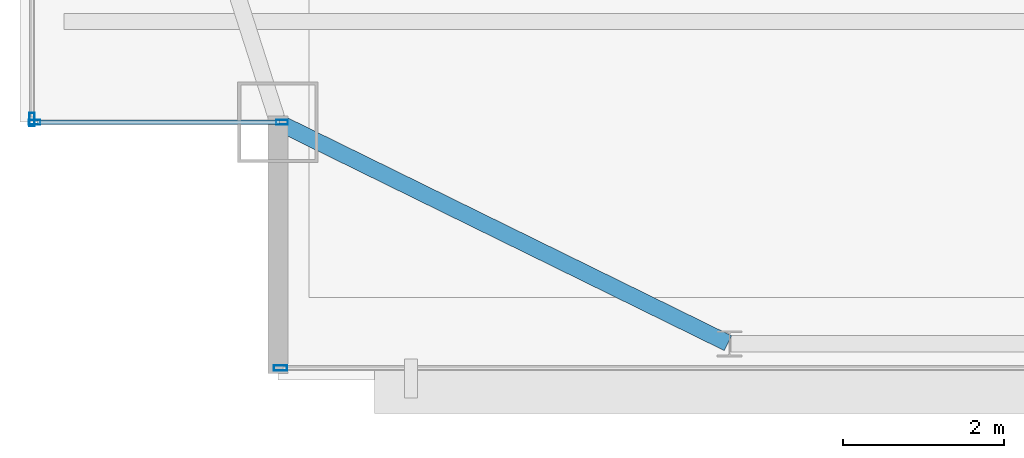
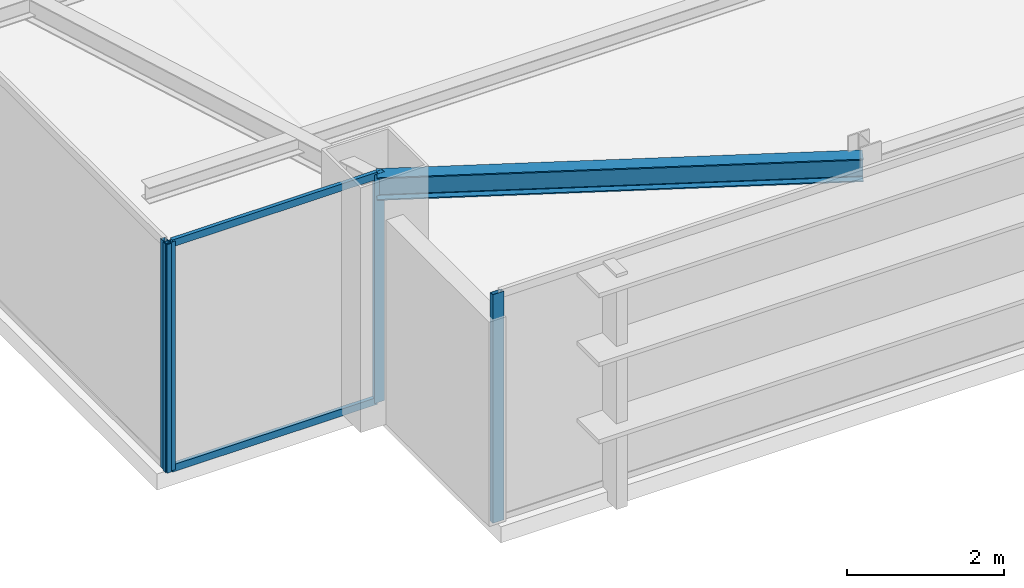
# One storey, part 4 of 24: 6 members, 1 beam, 3 elements without a shape of their own.
"""IFC4 building model written with IfcOpenShell, lengths in metres."""

from ifc_helpers import new_model, si_unit, direction, frame, origin, origin_2d, place, context, subcontext, project, spatial, hollow_rectangle, i_section, extrude, source, transform, mapped, material, layer, layer_set, material_profile, profile_set, type_object, type_shapes, element, aggregate, save


model = new_model("IFC4")

# Units and contexts
model_context = context("Model", 3, precision=1e-05, world=origin(), true_north=direction((0.0, 1.0)))
body_context = subcontext(model_context, "Body", "Model", "MODEL_VIEW")
ifc_project = project(units=[si_unit("LENGTHUNIT", "METRE"), si_unit("AREAUNIT", "SQUARE_METRE"), si_unit("VOLUMEUNIT", "CUBIC_METRE"), si_unit("PLANEANGLEUNIT", "RADIAN"), si_unit("MASSUNIT", "GRAM", prefix="KILO")], contexts=[model_context])

# Site, building, storey
site_placement = place(None, origin())
site = spatial("IfcSite", under=ifc_project, at=site_placement, CompositionType="ELEMENT")
building_placement = place(site_placement, origin())
building = spatial("IfcBuilding", under=site, at=building_placement, Name="Varnel Quay Broadcast Tower", CompositionType="ELEMENT")
storey_placement = place(building_placement, frame((0.0, 0.0, 269.800048828125)))
storey = spatial("IfcBuildingStorey", under=building, at=storey_placement, Name="L67", CompositionType="ELEMENT", Elevation=269.800048828125)

# Beam
ifc_material_1 = material(Name="Structural Steel CSA G40.21 350W", Category="steel")
ifc_material_profile_1 = material_profile(ifc_material_1, i_section(OverallWidth=0.205078125, OverallDepth=0.35400390625, WebThickness=0.009521484375, FlangeThickness=0.016845703125, FilletRadius=0.012939453125, at=origin_2d()), Name="W360X79")
ifc_profile_set_1 = profile_set([ifc_material_profile_1], Name="Structural Steel CSA G40.21 350W")
beam_type = type_object("IfcBeamType", Name="Beam_W360X79", PredefinedType="SPANDREL", material=ifc_profile_set_1)
shared_shape_1 = source(origin(), body_context, "Body", "SweptSolid", [
    extrude(i_section(OverallWidth=0.205078125, OverallDepth=0.35400390625, WebThickness=0.009521484375, FlangeThickness=0.016845703125, FilletRadius=0.012939453125, at=origin_2d()), origin(), (0.0, 0.0, 1.0), 6.19873046875),
])
type_shapes(beam_type, [shared_shape_1])
beam_placement = place(storey_placement, frame((15.218017578125, 16.39111328125, 3.373046875), z_axis=(0.897602447358, -0.440805905697, 0.0), x_axis=(0.440805905697, 0.897602447358, 0.0)))
element("IfcBeam", 1, at=beam_placement, inside=storey, type_object=beam_type, Name="L67 South Spandrel MC-SW-TC-S1", PredefinedType="SPANDREL", context=body_context, shape_type="MappedRepresentation", body=[
    mapped(shared_shape_1, transform((0.0, 0.0, 0.0), x_axis=(1.0, 0.0, 0.0), y_axis=(0.0, 1.0, 0.0), z_axis=(0.0, 0.0, 1.0), scale=1.0)),
])

# Curtain wall, members
ifc_material_2 = material(Name="Anodised Bronze Aluminium 6063-T6", Category="aluminium")
ifc_layer_1 = layer(ifc_material_2, 0.18994140625, Name="Anodised Bronze Aluminium 6063-T6")
ifc_layer_set_1 = layer_set([ifc_layer_1], Name="Anodised Bronze Aluminium 6063-T6")
curtain_wall_type_1 = type_object("IfcCurtainWallType", Name="CW_NotchCorner", PredefinedType="NOTDEFINED", material=ifc_layer_set_1)
curtain_wall_1_placement = place(storey_placement, origin())
curtain_wall_1 = element("IfcCurtainWall", 2, at=curtain_wall_1_placement, inside=storey, type_object=curtain_wall_type_1, Name="L67 SW Notch Curtain Wall", PredefinedType="NOTDEFINED")
ifc_material_profile_2 = material_profile(ifc_material_2, hollow_rectangle(XDim=0.06005859375, YDim=0.14501953125, WallThickness=0.00341796875, at=origin_2d()), Name="ALU60X145X3.5")
ifc_profile_set_2 = profile_set([ifc_material_profile_2], Name="Anodised Bronze Aluminium 6063-T6")
member_type_1 = type_object("IfcMemberType", Name="Mull_CWS-04", PredefinedType="MULLION", material=ifc_profile_set_2)
shared_shape_2 = source(origin(), body_context, "Body", "SweptSolid", [
    extrude(hollow_rectangle(XDim=0.06005859375, YDim=0.14501953125, WallThickness=0.00341796875, at=origin_2d()), origin(), (0.0, 0.0, 1.0), 3.550048828125),
])
type_shapes(member_type_1, [shared_shape_2])
member_1_placement = place(storey_placement, frame((12.179931640625, 16.39990234375, 0.0), z_axis=(0.0, 0.0, 1.0), x_axis=(0.0, 1.0, 0.0)))
member_1 = element("IfcMember", 3, at=member_1_placement, type_object=member_type_1, Name="CWS-04 mullion 1", PredefinedType="MULLION", context=body_context, shape_type="MappedRepresentation", body=[
    mapped(shared_shape_2, transform((0.0, 0.0, 0.0), x_axis=(1.0, 0.0, 0.0), y_axis=(0.0, 1.0, 0.0), z_axis=(0.0, 0.0, 1.0), scale=1.0)),
])
member_2_placement = place(storey_placement, frame((15.25, 16.39990234375, 0.0), z_axis=(0.0, 0.0, 1.0), x_axis=(0.0, 1.0, 0.0)))
member_2 = element("IfcMember", 4, at=member_2_placement, type_object=member_type_1, Name="CWS-04 mullion 2", PredefinedType="MULLION", context=body_context, shape_type="MappedRepresentation", body=[
    mapped(shared_shape_2, transform((0.0, 0.0, 0.0), x_axis=(1.0, 0.0, 0.0), y_axis=(0.0, 1.0, 0.0), z_axis=(0.0, 0.0, 1.0), scale=1.0)),
])

# Curtain wall, member
ifc_layer_2 = layer(ifc_material_2, 0.18994140625, Name="Anodised Bronze Aluminium 6063-T6")
ifc_layer_set_2 = layer_set([ifc_layer_2], Name="Anodised Bronze Aluminium 6063-T6")
curtain_wall_type_2 = type_object("IfcCurtainWallType", Name="CW_UpperTower", PredefinedType="NOTDEFINED", material=ifc_layer_set_2)
curtain_wall_2_placement = place(storey_placement, origin())
curtain_wall_2 = element("IfcCurtainWall", 5, at=curtain_wall_2_placement, inside=storey, type_object=curtain_wall_type_2, Name="L67 South Unitised Curtain Wall 1", PredefinedType="NOTDEFINED")
ifc_material_profile_3 = material_profile(ifc_material_2, hollow_rectangle(XDim=0.06494140625, YDim=0.1650390625, WallThickness=0.00341796875, at=origin_2d()), Name="ALU65X165X3.5")
ifc_profile_set_3 = profile_set([ifc_material_profile_3], Name="Anodised Bronze Aluminium 6063-T6")
member_type_2 = type_object("IfcMemberType", Name="Mull_CWS-03", PredefinedType="MULLION", material=ifc_profile_set_3)
shared_shape_3 = source(origin(), body_context, "Body", "SweptSolid", [
    extrude(hollow_rectangle(XDim=0.06494140625, YDim=0.1650390625, WallThickness=0.00341796875, at=origin_2d()), origin(), (0.0, 0.0, 1.0), 3.550048828125),
])
type_shapes(member_type_2, [shared_shape_3])
member_3_placement = place(storey_placement, frame((15.232421875, 13.35009765625, 0.0), z_axis=(0.0, 0.0, 1.0), x_axis=(0.0, 1.0, 0.0)))
member_3 = element("IfcMember", 6, at=member_3_placement, type_object=member_type_2, Name="CWS-03 mullion 1", PredefinedType="MULLION", context=body_context, shape_type="MappedRepresentation", body=[
    mapped(shared_shape_3, transform((0.0, 0.0, 0.0), x_axis=(1.0, 0.0, 0.0), y_axis=(0.0, 1.0, 0.0), z_axis=(0.0, 0.0, 1.0), scale=1.0)),
])
aggregate(curtain_wall_2, [member_3])

curtain_wall_3_placement = place(storey_placement, origin())
curtain_wall_3 = element("IfcCurtainWall", 7, at=curtain_wall_3_placement, inside=storey, type_object=curtain_wall_type_2, Name="L67 West Unitised Curtain Wall", PredefinedType="NOTDEFINED")
member_4_placement = place(storey_placement, frame((12.14990234375, 16.4326171875, 0.0), z_axis=(0.0, 0.0, 1.0), x_axis=(-1.0, 0.0, 0.0)))
member_4 = element("IfcMember", 8, at=member_4_placement, type_object=member_type_2, Name="CWS-03 mullion 1", PredefinedType="MULLION", context=body_context, shape_type="MappedRepresentation", body=[
    mapped(shared_shape_3, transform((0.0, 0.0, 0.0), x_axis=(1.0, 0.0, 0.0), y_axis=(0.0, 1.0, 0.0), z_axis=(0.0, 0.0, 1.0), scale=1.0)),
])
aggregate(curtain_wall_3, [member_4])

# Member
ifc_material_profile_4 = material_profile(ifc_material_2, hollow_rectangle(XDim=0.054931640625, YDim=0.110107421875, WallThickness=0.0029296875, at=origin_2d()), Name="ALU55X110X3")
ifc_profile_set_4 = profile_set([ifc_material_profile_4], Name="Anodised Bronze Aluminium 6063-T6")
member_type_3 = type_object("IfcMemberType", Name="Tran_CWS-04", PredefinedType="USERDEFINED", material=ifc_profile_set_4)
shared_shape_4 = source(origin(), body_context, "Body", "SweptSolid", [
    extrude(hollow_rectangle(XDim=0.054931640625, YDim=0.110107421875, WallThickness=0.0029296875, at=origin_2d()), origin(), (0.0, 0.0, 1.0), 3.010009765625),
])
type_shapes(member_type_3, [shared_shape_4])
member_5_placement = place(storey_placement, frame((12.2099609375, 16.39990234375, 0.02734375), z_axis=(1.0, 0.0, 0.0), x_axis=(0.0, 1.0, 0.0)))
member_5 = element("IfcMember", 9, at=member_5_placement, type_object=member_type_3, Name="CWS-04 transom 1.1", ObjectType="TRANSOM", PredefinedType="USERDEFINED", context=body_context, shape_type="MappedRepresentation", body=[
    mapped(shared_shape_4, transform((0.0, 0.0, 0.0), x_axis=(1.0, 0.0, 0.0), y_axis=(0.0, 1.0, 0.0), z_axis=(0.0, 0.0, 1.0), scale=1.0)),
])

member_6_placement = place(storey_placement, frame((12.2099609375, 16.39990234375, 3.5224609375), z_axis=(1.0, 0.0, 0.0), x_axis=(0.0, 1.0, 0.0)))
member_6 = element("IfcMember", 10, at=member_6_placement, type_object=member_type_3, Name="CWS-04 transom 1.2", ObjectType="TRANSOM", PredefinedType="USERDEFINED", context=body_context, shape_type="MappedRepresentation", body=[
    mapped(shared_shape_4, transform((0.0, 0.0, 0.0), x_axis=(1.0, 0.0, 0.0), y_axis=(0.0, 1.0, 0.0), z_axis=(0.0, 0.0, 1.0), scale=1.0)),
])

aggregate(curtain_wall_1, [member_1, member_2, member_5, member_6])

save(model, "model.ifc")
